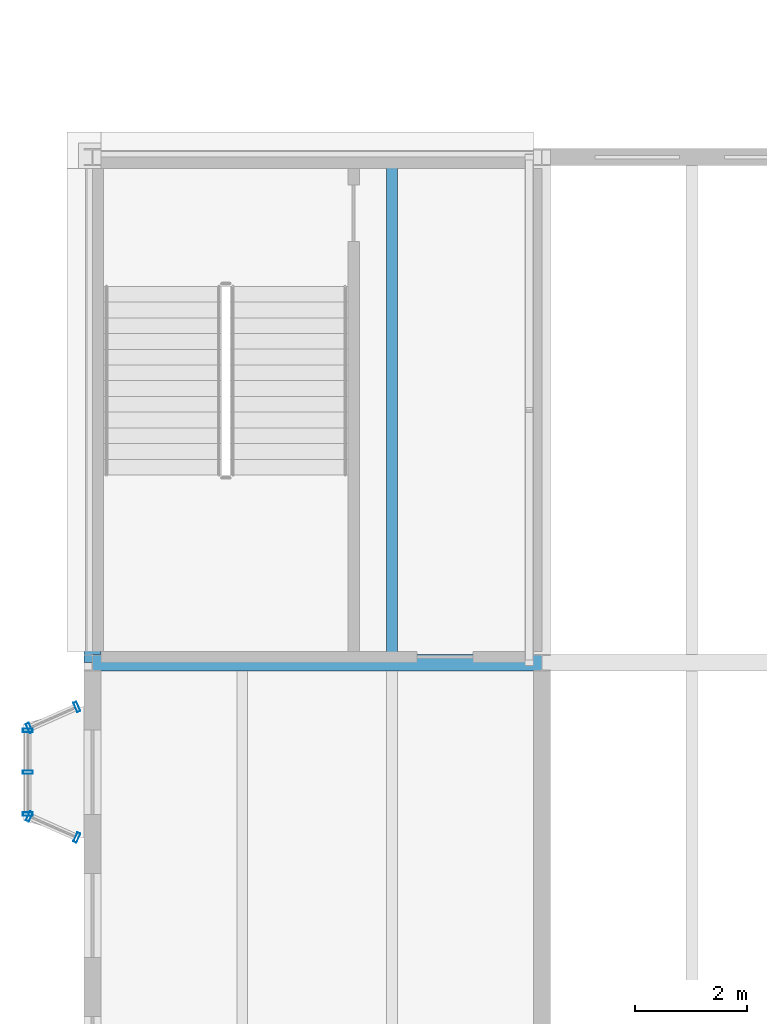
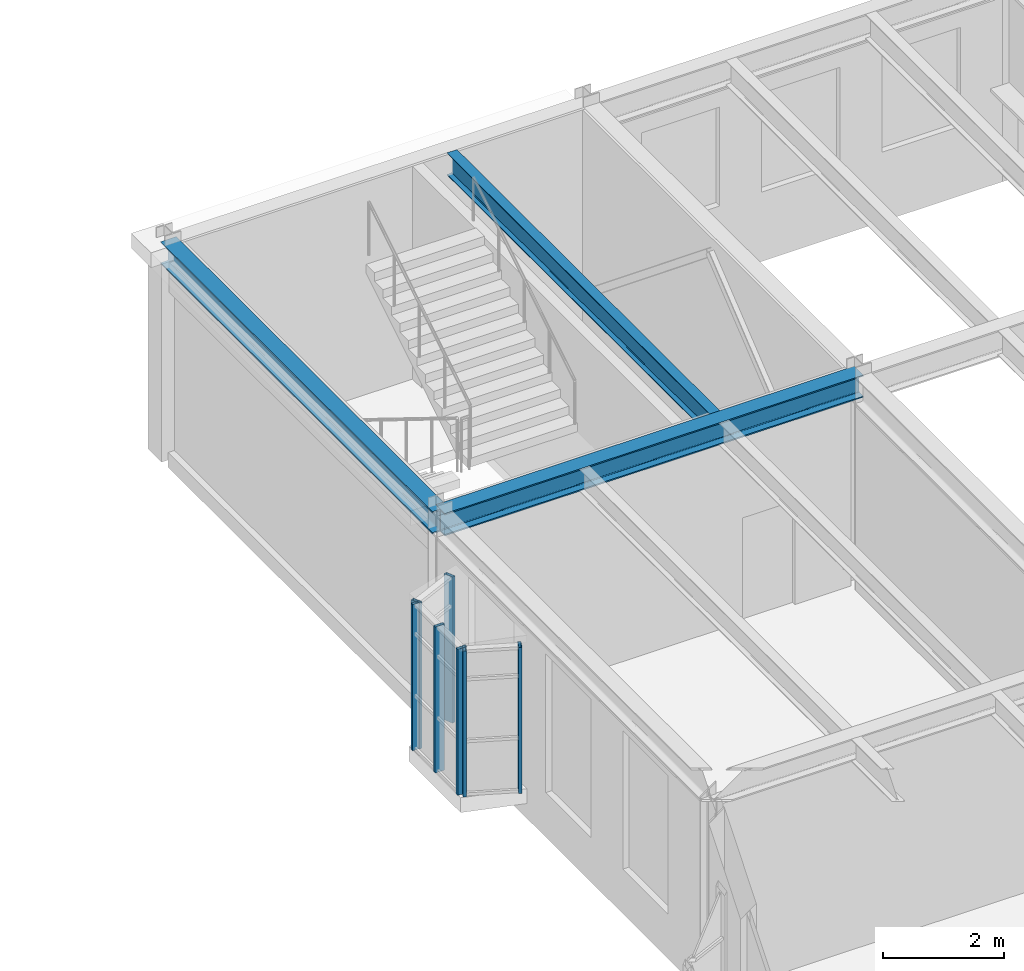
# One storey, part 20 of 153: 7 members, 3 beams, 3 elements without a shape of their own.
"""IFC4 building model written with IfcOpenShell, lengths in metres."""

from ifc_helpers import new_model, si_unit, direction, frame, origin, origin_2d, place, context, subcontext, project, spatial, hollow_rectangle, i_section, extrude, material, material_profile, profile_set, type_object, element, aggregate, save


model = new_model("IFC4")

# Units and contexts
model_context = context("Model", 3, precision=1e-05, world=origin(), true_north=direction((0.0, 1.0)))
body_context = subcontext(model_context, "Body", "Model", "MODEL_VIEW")
ifc_project = project(units=[si_unit("LENGTHUNIT", "METRE"), si_unit("AREAUNIT", "SQUARE_METRE"), si_unit("VOLUMEUNIT", "CUBIC_METRE"), si_unit("PLANEANGLEUNIT", "RADIAN"), si_unit("MASSUNIT", "GRAM", prefix="KILO")], contexts=[model_context])

# Site, building, storey
site_placement = place(None, origin())
site = spatial("IfcSite", under=ifc_project, at=site_placement, CompositionType="ELEMENT")
building_placement = place(site_placement, origin())
building = spatial("IfcBuilding", under=site, at=building_placement, Name="Kallimachos Central Library", CompositionType="ELEMENT")
storey_placement = place(building_placement, frame((0.0, 0.0, 5.39990234375)))
storey = spatial("IfcBuildingStorey", under=building, at=storey_placement, Name="L01", CompositionType="ELEMENT", Elevation=5.39990234375)

# Curtain wall, members
ifc_material_1 = material(Name="Laminated glass in anodised aluminium", Category="aluminium")
curtain_wall_type = type_object("IfcCurtainWallType", Name="Foyer curtain wall", PredefinedType="NOTDEFINED", material=ifc_material_1)
curtain_wall_1_placement = place(storey_placement, origin())
curtain_wall_1 = element("IfcCurtainWall", 1, at=curtain_wall_1_placement, inside=storey, type_object=curtain_wall_type, Name="Tribune bay return west", PredefinedType="NOTDEFINED")
ifc_material_2 = material(Name="Anodised aluminium", Category="aluminium")
ifc_material_profile_1 = material_profile(ifc_material_2, hollow_rectangle(XDim=0.06005859375, YDim=0.179931640625, WallThickness=0.00390625, at=origin_2d()), Name="ALU MULLION 60x180")
ifc_profile_set_1 = profile_set([ifc_material_profile_1], Name="Anodised aluminium")
member_type = type_object("IfcMemberType", Name="ALU MULLION 60x180 mullion", PredefinedType="MULLION", material=ifc_profile_set_1)
member_1_placement = place(storey_placement, frame((5.72265625, 23.88720703125, 0.60009765625), z_axis=(0.0, 0.0, 1.0), x_axis=(-0.913811548617, 0.40613846606, 0.0)))
member_1 = element("IfcMember", 2, at=member_1_placement, type_object=member_type, Name="CW mullion 1", PredefinedType="MULLION", context=body_context, shape_type="SweptSolid", body=[
    extrude(hollow_rectangle(XDim=0.06005859375, YDim=0.179931640625, WallThickness=0.00390625, at=origin_2d()), origin(), (0.0, 0.0, 1.0), 2.949951171875),
])
member_2_placement = place(storey_placement, frame((4.87744140625, 24.2626953125, 0.60009765625), z_axis=(0.0, 0.0, 1.0), x_axis=(-0.913811548617, 0.40613846606, 0.0)))
member_2 = element("IfcMember", 3, at=member_2_placement, type_object=member_type, Name="CW mullion 2", PredefinedType="MULLION", context=body_context, shape_type="SweptSolid", body=[
    extrude(hollow_rectangle(XDim=0.06005859375, YDim=0.179931640625, WallThickness=0.00390625, at=origin_2d()), origin(), (0.0, 0.0, 1.0), 2.949951171875),
])
aggregate(curtain_wall_1, [member_1, member_2])

curtain_wall_2_placement = place(storey_placement, origin())
curtain_wall_2 = element("IfcCurtainWall", 4, at=curtain_wall_2_placement, inside=storey, type_object=curtain_wall_type, Name="Tribune bay front", PredefinedType="NOTDEFINED")
member_3_placement = place(storey_placement, frame((4.85009765625, 24.304931640625, 0.60009765625), z_axis=(0.0, 0.0, 1.0), x_axis=(0.0, 1.0, 0.0)))
member_3 = element("IfcMember", 5, at=member_3_placement, type_object=member_type, Name="CW mullion 1", PredefinedType="MULLION", context=body_context, shape_type="SweptSolid", body=[
    extrude(hollow_rectangle(XDim=0.06005859375, YDim=0.179931640625, WallThickness=0.00390625, at=origin_2d()), origin(), (0.0, 0.0, 1.0), 2.949951171875),
])
member_4_placement = place(storey_placement, frame((4.85009765625, 25.050048828125, 0.60009765625), z_axis=(0.0, 0.0, 1.0), x_axis=(0.0, 1.0, 0.0)))
member_4 = element("IfcMember", 6, at=member_4_placement, type_object=member_type, Name="CW mullion 2", PredefinedType="MULLION", context=body_context, shape_type="SweptSolid", body=[
    extrude(hollow_rectangle(XDim=0.06005859375, YDim=0.179931640625, WallThickness=0.00390625, at=origin_2d()), origin(), (0.0, 0.0, 1.0), 2.949951171875),
])
member_5_placement = place(storey_placement, frame((4.85009765625, 25.794921875, 0.60009765625), z_axis=(0.0, 0.0, 1.0), x_axis=(0.0, 1.0, 0.0)))
member_5 = element("IfcMember", 7, at=member_5_placement, type_object=member_type, Name="CW mullion 3", PredefinedType="MULLION", context=body_context, shape_type="SweptSolid", body=[
    extrude(hollow_rectangle(XDim=0.06005859375, YDim=0.179931640625, WallThickness=0.00390625, at=origin_2d()), origin(), (0.0, 0.0, 1.0), 2.949951171875),
])
aggregate(curtain_wall_2, [member_3, member_4, member_5])

curtain_wall_3_placement = place(storey_placement, origin())
curtain_wall_3 = element("IfcCurtainWall", 8, at=curtain_wall_3_placement, inside=storey, type_object=curtain_wall_type, Name="Tribune bay return east", PredefinedType="NOTDEFINED")
member_6_placement = place(storey_placement, frame((4.87744140625, 25.837158203125, 0.60009765625), z_axis=(0.0, 0.0, 1.0), x_axis=(0.913811548617, 0.40613846606, 0.0)))
member_6 = element("IfcMember", 9, at=member_6_placement, type_object=member_type, Name="CW mullion 1", PredefinedType="MULLION", context=body_context, shape_type="SweptSolid", body=[
    extrude(hollow_rectangle(XDim=0.06005859375, YDim=0.179931640625, WallThickness=0.00390625, at=origin_2d()), origin(), (0.0, 0.0, 1.0), 2.949951171875),
])
member_7_placement = place(storey_placement, frame((5.72265625, 26.212890625, 0.60009765625), z_axis=(0.0, 0.0, 1.0), x_axis=(0.913811548617, 0.40613846606, 0.0)))
member_7 = element("IfcMember", 10, at=member_7_placement, type_object=member_type, Name="CW mullion 2", PredefinedType="MULLION", context=body_context, shape_type="SweptSolid", body=[
    extrude(hollow_rectangle(XDim=0.06005859375, YDim=0.179931640625, WallThickness=0.00390625, at=origin_2d()), origin(), (0.0, 0.0, 1.0), 2.949951171875),
])
aggregate(curtain_wall_3, [member_6, member_7])

# Beams
ifc_material_3 = material(Name="Steel S355J2", Category="steel")
ifc_material_profile_2 = material_profile(ifc_material_3, i_section(OverallWidth=0.300048828125, OverallDepth=0.449951171875, WebThickness=0.013916015625, FlangeThickness=0.02587890625, FilletRadius=0.027099609375, at=origin_2d()), Name="HEB 450")
ifc_profile_set_2 = profile_set([ifc_material_profile_2], Name="Steel S355J2")
beam_type_1 = type_object("IfcBeamType", Name="HEB 450 beam", PredefinedType="BEAM", material=ifc_profile_set_2)
beam_1_placement = place(storey_placement, frame((6.0, 27.0, 4.0751953125), z_axis=(0.0, 1.0, 0.0), x_axis=(-1.0, 0.0, 0.0)))
element("IfcBeam", 11, at=beam_1_placement, inside=storey, type_object=beam_type_1, Name="V6-BEM-L01-005", PredefinedType="BEAM", context=body_context, shape_type="SweptSolid", body=[
    extrude(i_section(OverallWidth=0.300048828125, OverallDepth=0.449951171875, WebThickness=0.013916015625, FlangeThickness=0.02587890625, FilletRadius=0.027099609375, at=origin_2d()), origin(), (0.0, 0.0, 1.0), 9.0),
])
beam_2_placement = place(storey_placement, frame((6.0, 27.0, 4.0751953125), z_axis=(1.0, 0.0, 0.0), x_axis=(0.0, 1.0, 0.0)))
element("IfcBeam", 12, at=beam_2_placement, inside=storey, type_object=beam_type_1, Name="V6-BEM-L01-006", PredefinedType="BEAM", context=body_context, shape_type="SweptSolid", body=[
    extrude(i_section(OverallWidth=0.300048828125, OverallDepth=0.449951171875, WebThickness=0.013916015625, FlangeThickness=0.02587890625, FilletRadius=0.027099609375, at=origin_2d()), origin(), (0.0, 0.0, 1.0), 8.0),
])
ifc_material_4 = material(Name="Steel S355J2", Category="steel")
ifc_material_profile_3 = material_profile(ifc_material_4, i_section(OverallWidth=0.18994140625, OverallDepth=0.449951171875, WebThickness=0.009521484375, FlangeThickness=0.0146484375, FilletRadius=0.02099609375, at=origin_2d()), Name="IPE 450")
ifc_profile_set_3 = profile_set([ifc_material_profile_3], Name="Steel S355J2")
beam_type_2 = type_object("IfcBeamType", Name="IPE 450 beam", PredefinedType="BEAM", material=ifc_profile_set_3)
beam_3_placement = place(storey_placement, frame((11.333251953125, 27.14990234375, 4.0751953125), z_axis=(0.0, 1.0, 0.0), x_axis=(-1.0, 0.0, 0.0)))
element("IfcBeam", 13, at=beam_3_placement, inside=storey, type_object=beam_type_2, Name="V6-BEM-L01-027", PredefinedType="BEAM", context=body_context, shape_type="SweptSolid", body=[
    extrude(i_section(OverallWidth=0.18994140625, OverallDepth=0.449951171875, WebThickness=0.009521484375, FlangeThickness=0.0146484375, FilletRadius=0.02099609375, at=origin_2d()), origin(), (0.0, 0.0, 1.0), 8.7001953125),
])

save(model, "model.ifc")
